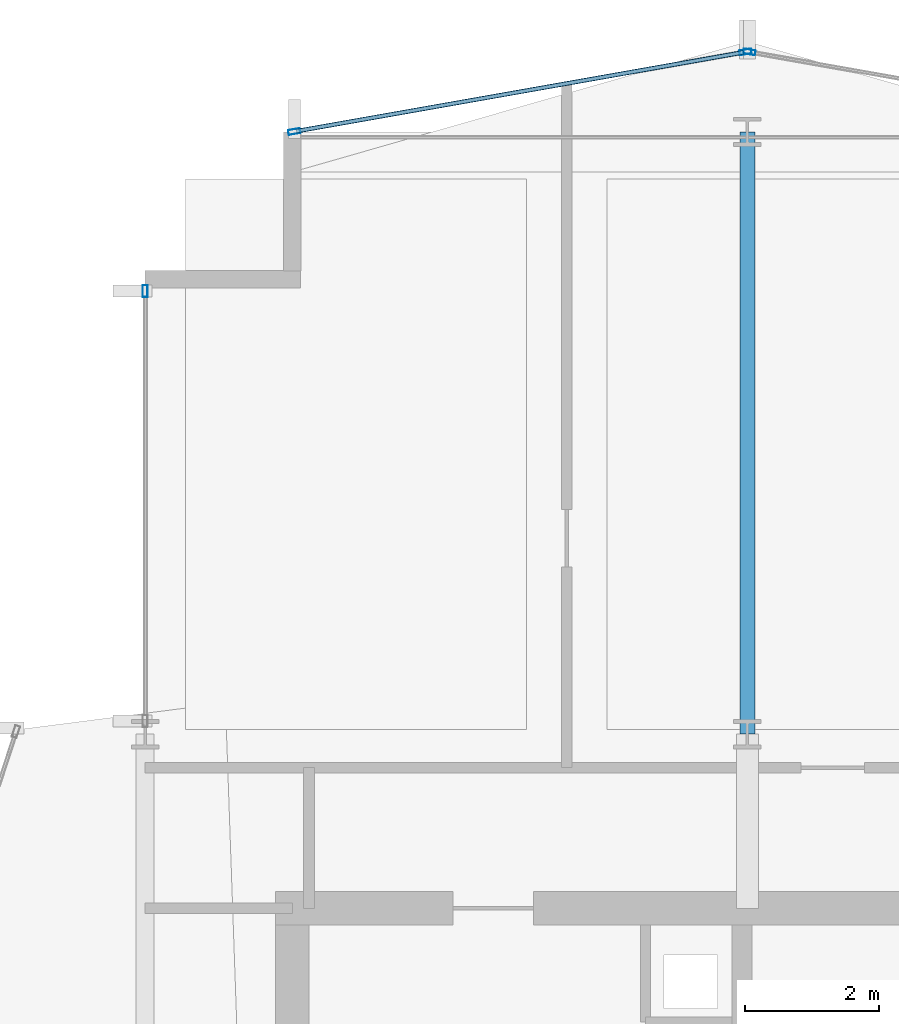
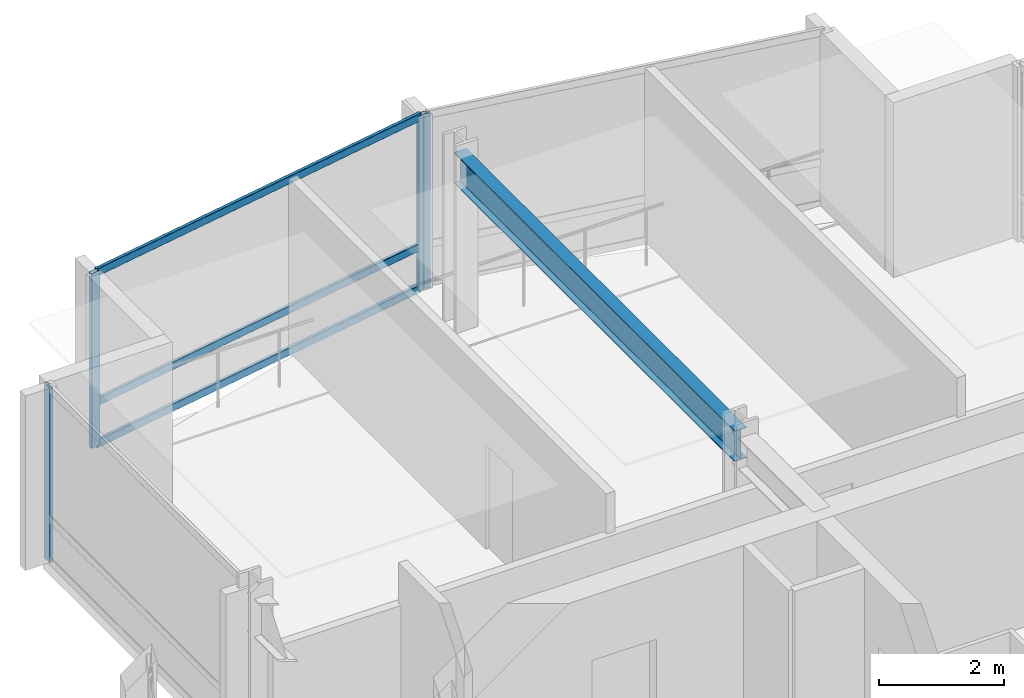
# One storey, part 19 of 29: 7 members, 1 beam, 3 elements without a shape of their own.
"""IFC4 building model written with IfcOpenShell, lengths in metres."""

import ifcopenshell
import ifcopenshell.guid

model = None  # the IFC model being written
_history = None  # IfcOwnerHistory: only IFC2X3 demands one
_inside = {}  # id of a spatial element -> (the spatial element, [elements in it])
_under = {}  # id of a project, library or spatial element -> (it, [spatial elements below it])
_declared = {}  # id of a project -> (the project, [libraries it declares])
_typed = {}  # id of a type object -> (the type object, [elements of that type])
_made_of = {}  # id of a material, layer set ... -> (it, [elements and type objects made of it])


def new_model(schema):
    """Start an empty IFC model of exactly this schema.

    Asked for "IFC4X3", IfcOpenShell would pick the latest addendum, in which some entities
    have other attributes; the version numbers below select the first issue.
    IFC2X3 requires an IfcOwnerHistory on every rooted entity: one is made here for all.
    """
    global model, _history
    if schema == "IFC4X3":
        model = ifcopenshell.file(schema_version=(4, 3, 0, 0))
    else:
        model = ifcopenshell.file(schema=schema)
    _inside.clear()
    _under.clear()
    _declared.clear()
    _typed.clear()
    _made_of.clear()
    _history = None
    if model.schema == "IFC2X3":
        org = make("IfcOrganization", Name="unknown")
        user = make(
            "IfcPersonAndOrganization",
            ThePerson=make("IfcPerson", FamilyName="unknown"),
            TheOrganization=org,
        )
        app = make(
            "IfcApplication",
            ApplicationDeveloper=org,
            Version="unknown",
            ApplicationFullName="unknown",
            ApplicationIdentifier="unknown",
        )
        _history = make(
            "IfcOwnerHistory",
            OwningUser=user,
            OwningApplication=app,
            ChangeAction="ADDED",
            CreationDate=0,
        )
    return model


def make(cls, **values):
    """One entity of the class cls with the attributes given. An attribute that is None is left unset."""
    return model.create_entity(
        cls, **{name: value for name, value in values.items() if value is not None}
    )


def rooted(cls, **values):
    """An entity with a GlobalId (a new one), such as an element, a storey or a relation."""
    return make(cls, GlobalId=ifcopenshell.guid.new(), OwnerHistory=_history, **values)


def si_unit(unit_type, name, prefix=None):
    """IfcSIUnit, for example si_unit("LENGTHUNIT", "METRE", prefix="MILLI")."""
    return make("IfcSIUnit", UnitType=unit_type, Prefix=prefix, Name=name)


def assignment(units):
    """IfcUnitAssignment: the units of a project."""
    return None if units is None else make("IfcUnitAssignment", Units=units)


def point(xyz):
    """IfcCartesianPoint."""
    return None if xyz is None else make("IfcCartesianPoint", Coordinates=xyz)


def direction(xyz):
    """IfcDirection."""
    return None if xyz is None else make("IfcDirection", DirectionRatios=xyz)


def frame(location, z_axis=None, x_axis=None):
    """IfcAxis2Placement3D, a coordinate frame: its origin and axes. An axis left out is left unset."""
    return make(
        "IfcAxis2Placement3D",
        Location=point(location),
        Axis=direction(z_axis),
        RefDirection=direction(x_axis),
    )


def frame_2d(location, x_axis=None):
    """IfcAxis2Placement2D, a coordinate frame in the plane: its origin and x axis."""
    return make(
        "IfcAxis2Placement2D", Location=point(location), RefDirection=direction(x_axis)
    )


def origin():
    """The frame at (0, 0, 0) with its axes left unset."""
    return frame((0.0, 0.0, 0.0))


def origin_2d():
    """The frame at (0, 0) in the plane with its x axis left unset."""
    return frame_2d((0.0, 0.0))


def place(relative_to, where):
    """IfcLocalPlacement: puts the frame where relative to a parent placement (None: the world)."""
    return make(
        "IfcLocalPlacement", PlacementRelTo=relative_to, RelativePlacement=where
    )


def context(
    kind, dimensions, precision=None, world=None, true_north=None, identifier=None
):
    """IfcGeometricRepresentationContext, for example the 3D "Model" context."""
    return make(
        "IfcGeometricRepresentationContext",
        ContextIdentifier=identifier,
        ContextType=kind,
        CoordinateSpaceDimension=dimensions,
        Precision=precision,
        WorldCoordinateSystem=world,
        TrueNorth=true_north,
    )


def subcontext(parent, identifier, kind, view, scale=None):
    """IfcGeometricRepresentationSubContext, for example "Body" below "Model"."""
    return make(
        "IfcGeometricRepresentationSubContext",
        ContextIdentifier=identifier,
        ContextType=kind,
        ParentContext=parent,
        TargetScale=scale,
        TargetView=view,
    )


def project(units=None, contexts=None):
    """IfcProject with its units and contexts."""
    return rooted(
        "IfcProject",
        Name="project",
        RepresentationContexts=contexts,
        UnitsInContext=assignment(units),
    )


def spatial(cls, under=None, at=None, **own):
    """A site, building, storey or space (cls), placed at a placement, below another one or the project."""
    s = rooted(cls, ObjectPlacement=at, **own)
    if under is not None:
        _under.setdefault(under.id(), (under, []))[1].append(s)
    return s


def profile(cls, at=None, kind="AREA", **sizes):
    """A parametric profile (cls). Its sizes go by their IFC names, for example OverallWidth=200.0."""
    return make(cls, ProfileType=kind, Position=at, **sizes)


def hollow_rectangle(**sizes):
    """IfcRectangleHollowProfileDef."""
    return profile("IfcRectangleHollowProfileDef", **sizes)


def i_section(**sizes):
    """IfcIShapeProfileDef."""
    return profile("IfcIShapeProfileDef", **sizes)


def extrude(swept, where, along, depth):
    """IfcExtrudedAreaSolid: the profile swept, set in the frame where, extruded along a direction by depth."""
    return make(
        "IfcExtrudedAreaSolid",
        SweptArea=swept,
        Position=where,
        ExtrudedDirection=direction(along),
        Depth=depth,
    )


def shape(context_of_items, identifier, shape_type, items):
    """IfcShapeRepresentation: the items that make up one representation, for example the "Body"."""
    return make(
        "IfcShapeRepresentation",
        ContextOfItems=context_of_items,
        RepresentationIdentifier=identifier,
        RepresentationType=shape_type,
        Items=items,
    )


def material(Name=None, Category=None):
    """IfcMaterial."""
    return make("IfcMaterial", Name=Name, Category=Category)


def layer(
    of_material, thickness, ventilated=None, Name=None, Category=None, Priority=None
):
    """IfcMaterialLayer: one layer of a wall or slab, of a material (None: an air gap)."""
    return make(
        "IfcMaterialLayer",
        Material=of_material,
        LayerThickness=thickness,
        IsVentilated=ventilated,
        Name=Name,
        Category=Category,
        Priority=Priority,
    )


def layer_set(layers, Name=None):
    """IfcMaterialLayerSet."""
    return make("IfcMaterialLayerSet", MaterialLayers=layers, LayerSetName=Name)


def material_profile(
    of_material, cross_section, Name=None, Category=None, Priority=None
):
    """IfcMaterialProfile: a cross section and its material."""
    return make(
        "IfcMaterialProfile",
        Name=Name,
        Material=of_material,
        Profile=cross_section,
        Priority=Priority,
        Category=Category,
    )


def profile_set(profiles, Name=None, composite=None):
    """IfcMaterialProfileSet."""
    return make(
        "IfcMaterialProfileSet",
        Name=Name,
        MaterialProfiles=profiles,
        CompositeProfile=composite,
    )


def made_of(thing, what):
    """Note that an element or type object is made of a material, layer set ...; save() writes the relation."""
    if what is not None:
        _made_of.setdefault(what.id(), (what, []))[1].append(thing)
    return thing


def type_object(cls, material=None, **own):
    """A type object (cls), such as IfcWallType, which elements share."""
    return made_of(rooted(cls, **own), material)


def element(
    cls,
    number,
    at=None,
    inside=None,
    cuts=None,
    type_object=None,
    material=None,
    context=None,
    identifier="Body",
    shape_type=None,
    held_by="IfcProductDefinitionShape",
    body=None,
    shapes=None,
    **own,
):
    """One element of the class cls, such as IfcWall. Its Tag is "e" and its number.

    at: its placement. inside: the storey or other place that contains it. cuts: it is an
    opening in that element (IfcRelVoidsElement). A single representation is given by context,
    identifier, shape_type and body (its items); several are given by shapes. held_by: the class
    of the entity that holds the representations. save() writes the other relations.
    """
    e = rooted(cls, Tag="e%d" % number, ObjectPlacement=at, **own)
    if body is not None:
        shapes = [shape(context, identifier, shape_type, body)]
    if shapes is not None:
        e.Representation = make(held_by, Representations=shapes)
    if inside is not None:
        _inside.setdefault(inside.id(), (inside, []))[1].append(e)
    if cuts is not None:
        rooted(
            "IfcRelVoidsElement", RelatingBuildingElement=cuts, RelatedOpeningElement=e
        )
    if type_object is not None:
        _typed.setdefault(type_object.id(), (type_object, []))[1].append(e)
    return made_of(e, material)


def aggregate(whole, parts):
    """IfcRelAggregates: a whole, such as a stair, and the parts it consists of."""
    return rooted("IfcRelAggregates", RelatingObject=whole, RelatedObjects=parts)


def save(model, path):
    """Write the relations noted so far, then the file.

    IfcRelAggregates (storeys below a building ...), IfcRelContainedInSpatialStructure (elements
    in a storey), IfcRelDefinesByType, IfcRelAssociatesMaterial and IfcRelDeclares: one each for
    every whole, place, type object, material and project.
    """
    for whole, parts in _under.values():
        aggregate(whole, parts)
    for where, things in _inside.values():
        rooted(
            "IfcRelContainedInSpatialStructure",
            RelatedElements=things,
            RelatingStructure=where,
        )
    for kind, things in _typed.values():
        rooted("IfcRelDefinesByType", RelatedObjects=things, RelatingType=kind)
    for what, things in _made_of.values():
        rooted("IfcRelAssociatesMaterial", RelatedObjects=things, RelatingMaterial=what)
    for by, libraries in _declared.values():
        rooted("IfcRelDeclares", RelatingContext=by, RelatedDefinitions=libraries)
    model.write(path)


model = new_model("IFC4")

# Units and contexts
model_context = context("Model", 3, precision=1e-05, world=origin(), true_north=direction((0.0, 1.0)))
body_context = subcontext(model_context, "Body", "Model", "MODEL_VIEW")
ifc_project = project(units=[si_unit("LENGTHUNIT", "METRE"), si_unit("AREAUNIT", "SQUARE_METRE"), si_unit("VOLUMEUNIT", "CUBIC_METRE"), si_unit("PLANEANGLEUNIT", "RADIAN"), si_unit("MASSUNIT", "GRAM", prefix="KILO")], contexts=[model_context])

# Site, building, storey
site_placement = place(None, origin())
site = spatial("IfcSite", under=ifc_project, at=site_placement, CompositionType="ELEMENT")
building_placement = place(site_placement, origin())
building = spatial("IfcBuilding", under=site, at=building_placement, Name="Solvaryn Broadcast Tower", CompositionType="ELEMENT")
storey_placement = place(building_placement, frame((0.0, 0.0, 161.800048828125)))
storey = spatial("IfcBuildingStorey", under=building, at=storey_placement, Name="L40", CompositionType="ELEMENT", Elevation=161.800048828125)

# Beam
ifc_material_1 = material(Name="Steel ASTM A992 Grade 50", Category="steel")
ifc_material_profile_1 = material_profile(ifc_material_1, i_section(OverallWidth=0.22802734375, OverallDepth=0.60791015625, WebThickness=0.01123046875, FlangeThickness=0.017333984375, FilletRadius=0.014892578125, at=origin_2d()))
ifc_profile_set_1 = profile_set([ifc_material_profile_1], Name="Steel ASTM A992 Grade 50")
beam_type = type_object("IfcBeamType", Name="BM-B2-W24X76", PredefinedType="BEAM", material=ifc_profile_set_1)
beam_placement = place(storey_placement, frame((18.0, 45.0, 3.115966796875), z_axis=(0.0, 1.0, 0.0), x_axis=(-1.0, 0.0, 0.0)))
element("IfcBeam", 1, at=beam_placement, inside=storey, type_object=beam_type, Name="L40 Primary Beam Y (45-54 @ X=18)", PredefinedType="BEAM", context=body_context, shape_type="SweptSolid", body=[
    extrude(i_section(OverallWidth=0.22802734375, OverallDepth=0.60791015625, WebThickness=0.01123046875, FlangeThickness=0.017333984375, FilletRadius=0.014892578125, at=origin_2d()), origin(), (0.0, 0.0, 1.0), 9.0),
])

# Curtain wall, member
ifc_material_2 = material(Name="Aluminium and Terracotta Unitised Curtain Wall", Category="masonry")
ifc_layer = layer(ifc_material_2, 0.199951171875)
ifc_layer_set = layer_set([ifc_layer], Name="CW-SYS2-LOWMID")
curtain_wall_type = type_object("IfcCurtainWallType", Name="CW-SYS2-LOWMID", PredefinedType="NOTDEFINED", material=ifc_layer_set)
curtain_wall_1_placement = place(storey_placement, origin())
curtain_wall_1 = element("IfcCurtainWall", 2, at=curtain_wall_1_placement, inside=storey, type_object=curtain_wall_type, Name="L40 Curtain Wall W2", PredefinedType="NOTDEFINED")
ifc_material_3 = material(Name="Anodised Aluminium 6063-T6", Category="aluminium")
ifc_material_profile_2 = material_profile(ifc_material_3, hollow_rectangle(XDim=0.074951171875, YDim=0.179931640625, WallThickness=0.00390625, InnerFilletRadius=0.00390625, OuterFilletRadius=0.008056640625, at=origin_2d()))
ifc_profile_set_2 = profile_set([ifc_material_profile_2], Name="Anodised Aluminium 6063-T6")
member_type_1 = type_object("IfcMemberType", Name="CW-MUL-180", PredefinedType="MULLION", material=ifc_profile_set_2)
member_1_placement = place(storey_placement, frame((9.0, 51.6201171875, 0.0), z_axis=(0.0, 0.0, 1.0), x_axis=(-1.0, 0.0, 0.0)))
member_1 = element("IfcMember", 3, at=member_1_placement, type_object=member_type_1, Name="CWS2 mullion 2", PredefinedType="MULLION", context=body_context, shape_type="SweptSolid", body=[
    extrude(hollow_rectangle(XDim=0.074951171875, YDim=0.179931640625, WallThickness=0.00390625, InnerFilletRadius=0.00390625, OuterFilletRadius=0.008056640625, at=origin_2d()), origin(), (0.0, 0.0, 1.0), 3.419921875),
])
aggregate(curtain_wall_1, [member_1])

curtain_wall_2_placement = place(storey_placement, origin())
curtain_wall_2 = element("IfcCurtainWall", 4, at=curtain_wall_2_placement, inside=storey, type_object=curtain_wall_type, Name="L40 Curtain Wall NT1", PredefinedType="NOTDEFINED")
member_2_placement = place(storey_placement, frame((18.029541015625, 55.19482421875, 0.0), z_axis=(0.0, 0.0, 1.0), x_axis=(-0.173785333901, -0.984783558819, 0.0)))
member_2 = element("IfcMember", 5, at=member_2_placement, type_object=member_type_1, Name="CWS2 mullion 2", PredefinedType="MULLION", context=body_context, shape_type="SweptSolid", body=[
    extrude(hollow_rectangle(XDim=0.074951171875, YDim=0.179931640625, WallThickness=0.00390625, InnerFilletRadius=0.00390625, OuterFilletRadius=0.008056640625, at=origin_2d()), origin(), (0.0, 0.0, 1.0), 3.419921875),
])
aggregate(curtain_wall_2, [member_2])

# Curtain wall, members
curtain_wall_3_placement = place(storey_placement, origin())
curtain_wall_3 = element("IfcCurtainWall", 6, at=curtain_wall_3_placement, inside=storey, type_object=curtain_wall_type, Name="L40 Curtain Wall NT2", PredefinedType="NOTDEFINED")
member_3_placement = place(storey_placement, frame((17.970458984375, 55.19482421875, 0.0), z_axis=(0.0, 0.0, 1.0), x_axis=(0.173785333901, -0.984783558819, 0.0)))
member_3 = element("IfcMember", 7, at=member_3_placement, type_object=member_type_1, Name="CWS2 mullion 1", PredefinedType="MULLION", context=body_context, shape_type="SweptSolid", body=[
    extrude(hollow_rectangle(XDim=0.074951171875, YDim=0.179931640625, WallThickness=0.00390625, InnerFilletRadius=0.00390625, OuterFilletRadius=0.008056640625, at=origin_2d()), origin(), (0.0, 0.0, 1.0), 3.419921875),
])
member_4_placement = place(storey_placement, frame((11.2294921875, 54.005126953125, 0.0), z_axis=(0.0, 0.0, 1.0), x_axis=(0.173785333901, -0.984783558819, 0.0)))
member_4 = element("IfcMember", 8, at=member_4_placement, type_object=member_type_1, Name="CWS2 mullion 2", PredefinedType="MULLION", context=body_context, shape_type="SweptSolid", body=[
    extrude(hollow_rectangle(XDim=0.074951171875, YDim=0.179931640625, WallThickness=0.00390625, InnerFilletRadius=0.00390625, OuterFilletRadius=0.008056640625, at=origin_2d()), origin(), (0.0, 0.0, 1.0), 3.419921875),
])
ifc_material_4 = material(Name="Anodised Aluminium 6063-T6", Category="aluminium")
ifc_material_profile_3 = material_profile(ifc_material_4, hollow_rectangle(XDim=0.06494140625, YDim=0.14990234375, WallThickness=0.00390625, InnerFilletRadius=0.00390625, OuterFilletRadius=0.008056640625, at=origin_2d()))
ifc_profile_set_3 = profile_set([ifc_material_profile_3], Name="Anodised Aluminium 6063-T6")
member_type_2 = type_object("IfcMemberType", Name="CW-TRN-150", PredefinedType="USERDEFINED", material=ifc_profile_set_3)
member_5_placement = place(storey_placement, frame((17.94091796875, 55.189453125, 0.030029296875), z_axis=(-0.984788629673, -0.173756596613, 0.0), x_axis=(0.173756596613, -0.984788629673, 0.0)))
member_5 = element("IfcMember", 9, at=member_5_placement, type_object=member_type_2, Name="CWS2 transom 1.1", ObjectType="TRANSOM", PredefinedType="USERDEFINED", context=body_context, shape_type="SweptSolid", body=[
    extrude(hollow_rectangle(XDim=0.06494140625, YDim=0.14990234375, WallThickness=0.00390625, InnerFilletRadius=0.00390625, OuterFilletRadius=0.008056640625, at=origin_2d()), origin(), (0.0, 0.0, 1.0), 6.78515625),
])
member_6_placement = place(storey_placement, frame((17.94091796875, 55.189453125, 0.849853515625), z_axis=(-0.984788629673, -0.173756596613, 0.0), x_axis=(0.173756596613, -0.984788629673, 0.0)))
member_6 = element("IfcMember", 10, at=member_6_placement, type_object=member_type_2, Name="CWS2 transom 1.2", ObjectType="TRANSOM", PredefinedType="USERDEFINED", context=body_context, shape_type="SweptSolid", body=[
    extrude(hollow_rectangle(XDim=0.06494140625, YDim=0.14990234375, WallThickness=0.00390625, InnerFilletRadius=0.00390625, OuterFilletRadius=0.008056640625, at=origin_2d()), origin(), (0.0, 0.0, 1.0), 6.78515625),
])
member_7_placement = place(storey_placement, frame((17.94091796875, 55.189453125, 3.389892578125), z_axis=(-0.984788629673, -0.173756596613, 0.0), x_axis=(0.173756596613, -0.984788629673, 0.0)))
member_7 = element("IfcMember", 11, at=member_7_placement, type_object=member_type_2, Name="CWS2 transom 1.3", ObjectType="TRANSOM", PredefinedType="USERDEFINED", context=body_context, shape_type="SweptSolid", body=[
    extrude(hollow_rectangle(XDim=0.06494140625, YDim=0.14990234375, WallThickness=0.00390625, InnerFilletRadius=0.00390625, OuterFilletRadius=0.008056640625, at=origin_2d()), origin(), (0.0, 0.0, 1.0), 6.78515625),
])
aggregate(curtain_wall_3, [member_3, member_4, member_5, member_6, member_7])

save(model, "model.ifc")
